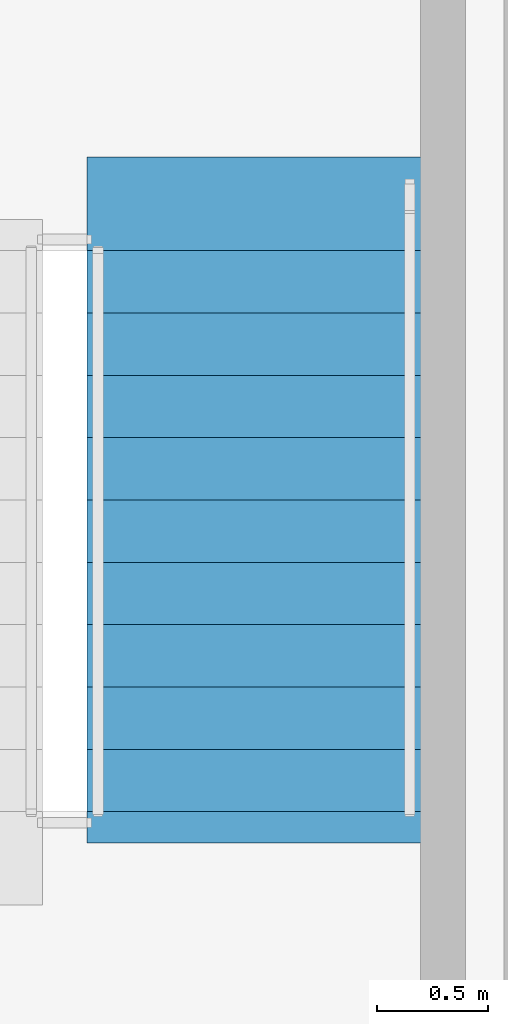
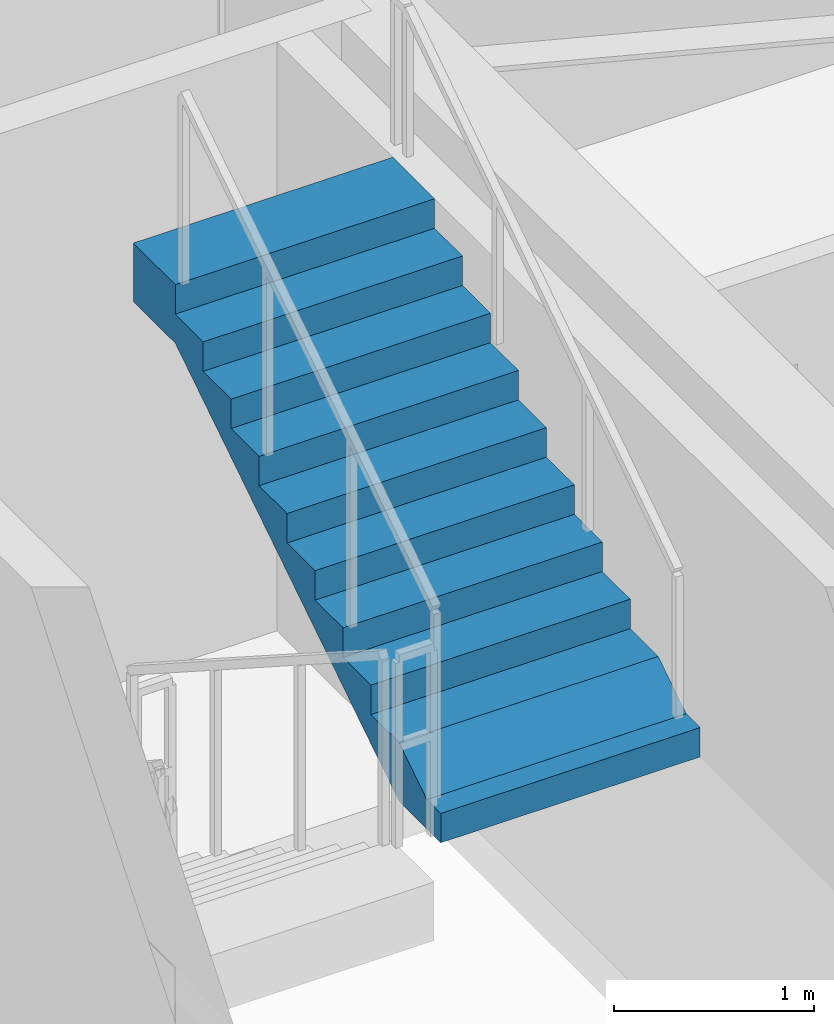
# One storey, part 12 of 14: 1 stair flight, 1 element without a shape of its own.
"""IFC4 building model written with IfcOpenShell, lengths in metres."""

from ifc_helpers import new_model, si_unit, direction, frame, origin, place, context, subcontext, project, spatial, polyline, outline, extrude, material, layer, layer_set, type_object, element, aggregate, save


model = new_model("IFC4")

# Units and contexts
model_context = context("Model", 3, precision=1e-05, world=origin(), true_north=direction((0.0, 1.0)))
body_context = subcontext(model_context, "Body", "Model", "MODEL_VIEW")
ifc_project = project(units=[si_unit("LENGTHUNIT", "METRE"), si_unit("AREAUNIT", "SQUARE_METRE"), si_unit("VOLUMEUNIT", "CUBIC_METRE"), si_unit("PLANEANGLEUNIT", "RADIAN"), si_unit("MASSUNIT", "GRAM", prefix="KILO")], contexts=[model_context])

# Site, building, storey
site_placement = place(None, origin())
site = spatial("IfcSite", under=ifc_project, at=site_placement, CompositionType="ELEMENT")
building_placement = place(site_placement, origin())
building = spatial("IfcBuilding", under=site, at=building_placement, Name="Talgorran Terracotta Tower", CompositionType="ELEMENT")
storey_placement = place(building_placement, frame((0.0, 0.0, 53.10009765625)))
storey = spatial("IfcBuildingStorey", under=building, at=storey_placement, Name="L13", CompositionType="ELEMENT", Elevation=53.10009765625)

# Stair, stair flight
ifc_material = material(Name="Concrete C40/50", Category="concrete")
stair_type = type_object("IfcStairType", Name="ST_FIRE_SCISSOR", PredefinedType="HALF_TURN_STAIR", material=ifc_material)
stair_placement = place(storey_placement, origin())
stair = element("IfcStair", 1, at=stair_placement, inside=storey, type_object=stair_type, Name="L13 East Protected Fire Stair ST-02", PredefinedType="HALF_TURN_STAIR")
ifc_layer = layer(ifc_material, 0.179931640625, Name="STF_RC_1500")
ifc_layer_set = layer_set([ifc_layer], Name="Concrete C40/50")
stair_flight_type = type_object("IfcStairFlightType", Name="STF_RC_1500", PredefinedType="STRAIGHT", material=ifc_layer_set)
stair_flight_placement = place(storey_placement, frame((11.050048828125, -9.719970703125, 1.7998046875), z_axis=(0.0, 0.0, 1.0), x_axis=(0.0, 1.0, 0.0)))
stair_flight = element("IfcStairFlight", 2, at=stair_flight_placement, type_object=stair_flight_type, Name="ST-02 flight 2", NumberOfRisers=10, NumberOfTreads=9, PredefinedType="STRAIGHT", RiserHeight=0.18, TreadLength=0.28, context=body_context, shape_type="SweptSolid", body=[
    extrude(outline(polyline([(-0.139892578125, 0.0), (-0.139892578125, 0.179931640625), (0.0, 0.179931640625), (0.280029296875, 0.360107421875), (0.56005859375, 0.360107421875), (0.56005859375, 0.5400390625), (0.840087890625, 0.5400390625), (0.840087890625, 0.719970703125), (1.1201171875, 0.719970703125), (1.1201171875, 0.89990234375), (1.39990234375, 0.89990234375), (1.39990234375, 1.080078125), (1.679931640625, 1.080078125), (1.679931640625, 1.260009765625), (1.9599609375, 1.260009765625), (1.9599609375, 1.43994140625), (2.239990234375, 1.43994140625), (2.239990234375, 1.6201171875), (2.52001953125, 1.6201171875), (2.52001953125, 1.800048828125), (2.93994140625, 1.800048828125), (2.93994140625, 1.44189453125), (2.52001953125, 1.44189453125), (0.277099609375, 0.0), (-0.139892578125, 0.0)])), frame((0.0, 0.75, 0.0), z_axis=(0.0, -1.0, 0.0), x_axis=(1.0, 0.0, 0.0)), (0.0, 0.0, 1.0), 1.5),
])
aggregate(stair, [stair_flight])

save(model, "model.ifc")
